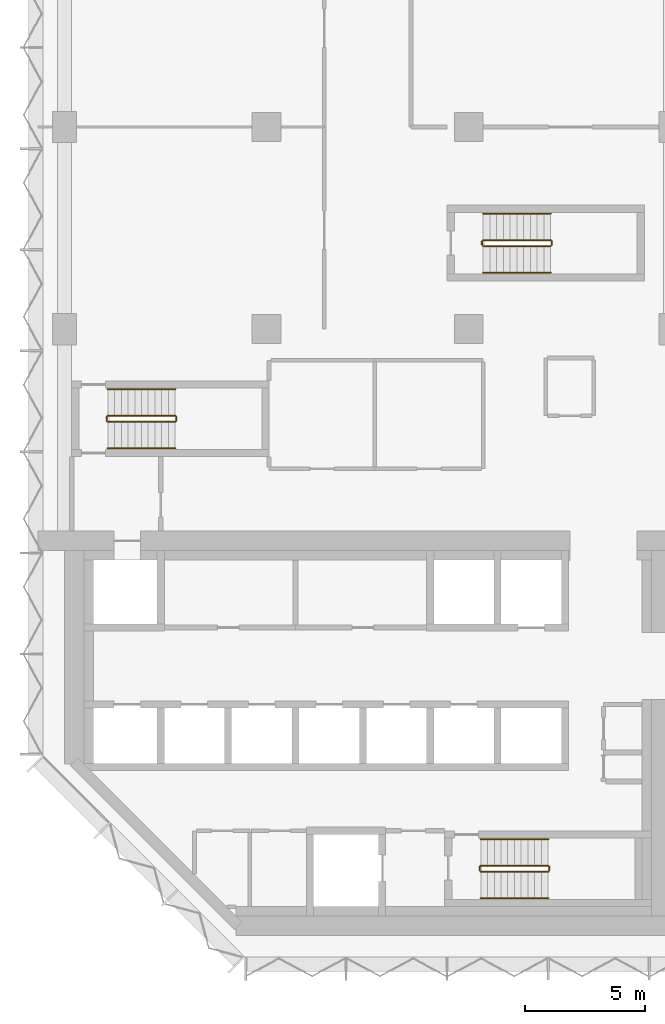
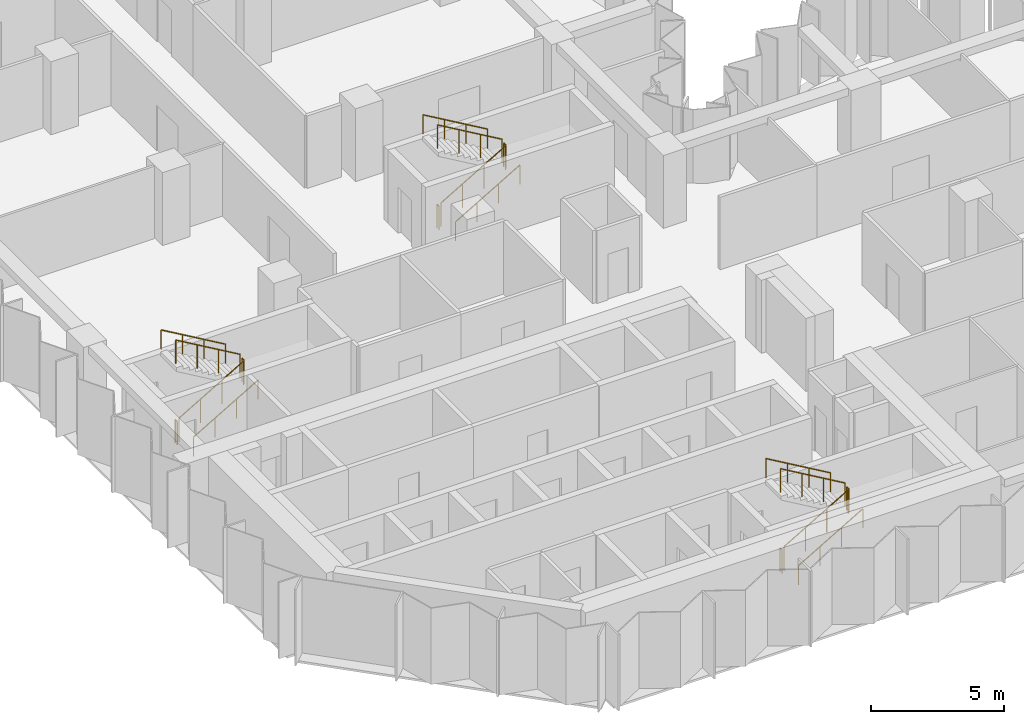
# One storey, part 12 of 13: 18 railings.
"""IFC4 building model written with IfcOpenShell, lengths in metres."""

from ifc_helpers import new_model, si_unit, direction, frame, origin, origin_2d, place, context, subcontext, project, spatial, circle, extrude, material, type_object, element, save


model = new_model("IFC4")

# Units and contexts
model_context = context("Model", 3, precision=1e-05, world=origin(), true_north=direction((0.0, 1.0)))
body_context = subcontext(model_context, "Body", "Model", "MODEL_VIEW")
ifc_project = project(units=[si_unit("LENGTHUNIT", "METRE"), si_unit("AREAUNIT", "SQUARE_METRE"), si_unit("VOLUMEUNIT", "CUBIC_METRE"), si_unit("PLANEANGLEUNIT", "RADIAN"), si_unit("MASSUNIT", "GRAM", prefix="KILO")], contexts=[model_context])

# Site, building, storey
site_placement = place(None, origin())
site = spatial("IfcSite", under=ifc_project, at=site_placement, CompositionType="ELEMENT")
building_placement = place(site_placement, origin())
building = spatial("IfcBuilding", under=site, at=building_placement, Name="Brevane Broadcast Tower", CompositionType="ELEMENT")
storey_placement = place(building_placement, frame((0.0, 0.0, 109.699951171875)))
storey = spatial("IfcBuildingStorey", under=building, at=storey_placement, Name="L26", CompositionType="ELEMENT", Elevation=109.699951171875)

# Railings
ifc_material = material(Name="Steel S355", Category="steel")
railing_type_1 = type_object("IfcRailingType", Name="Exit stair guard", PredefinedType="GUARDRAIL", material=ifc_material)
railing_1_placement = place(storey_placement, frame((1.800048828125, 21.35009765625, 0.16357421875)))
element("IfcRailing", 1, at=railing_1_placement, inside=storey, type_object=railing_type_1, Name="L26 ST-1 stair guard 1", PredefinedType="GUARDRAIL", context=body_context, shape_type="SweptSolid", body=[
    extrude(circle(Radius=0.02392578125, at=origin_2d()), frame((0.0, 0.0, 1.076171875), z_axis=(0.863360870873, 0.0, 0.504586966384), x_axis=(0.0, 1.0, 0.0)), (0.0, 0.0, 1.0), 3.2431640625),
    extrude(circle(Radius=0.02099609375, at=origin_2d()), origin(), (0.0, 0.0, 1.0), 1.052001953125),
    extrude(circle(Radius=0.02099609375, at=origin_2d()), frame((0.933349609375, 0.0, 0.54541015625)), (0.0, 0.0, 1.0), 1.052001953125),
    extrude(circle(Radius=0.02099609375, at=origin_2d()), frame((1.86669921875, 0.0, 1.091064453125)), (0.0, 0.0, 1.0), 1.052001953125),
    extrude(circle(Radius=0.02099609375, at=origin_2d()), frame((2.800048828125, 0.0, 1.636474609375)), (0.0, 0.0, 1.0), 1.052001953125),
])
railing_2_placement = place(storey_placement, frame((4.64990234375, 21.39990234375, 1.800048828125)))
element("IfcRailing", 2, at=railing_2_placement, inside=storey, type_object=railing_type_1, Name="L26 ST-1 stair guard 2", PredefinedType="GUARDRAIL", context=body_context, shape_type="SweptSolid", body=[
    extrude(circle(Radius=0.02392578125, at=origin_2d()), frame((0.0, 0.0, 1.076171875), z_axis=(0.0, 1.0, 0.0), x_axis=(-1.0, 0.0, 0.0)), (0.0, 0.0, 1.0), 0.150146484375),
    extrude(circle(Radius=0.02099609375, at=origin_2d()), origin(), (0.0, 0.0, 1.0), 1.052001953125),
    extrude(circle(Radius=0.02099609375, at=origin_2d()), frame((0.0, 0.150146484375, 0.0)), (0.0, 0.0, 1.0), 1.052001953125),
])
railing_3_placement = place(storey_placement, frame((4.60009765625, 21.60009765625, 1.963623046875)))
element("IfcRailing", 3, at=railing_3_placement, inside=storey, type_object=railing_type_1, Name="L26 ST-1 stair guard 3", PredefinedType="GUARDRAIL", context=body_context, shape_type="SweptSolid", body=[
    extrude(circle(Radius=0.02392578125, at=origin_2d()), frame((0.0, 0.0, 1.076171875), z_axis=(-0.863360870873, 0.0, 0.504586966384), x_axis=(0.0, -1.0, 0.0)), (0.0, 0.0, 1.0), 3.2431640625),
    extrude(circle(Radius=0.02099609375, at=origin_2d()), origin(), (0.0, 0.0, 1.0), 1.052001953125),
    extrude(circle(Radius=0.02099609375, at=origin_2d()), frame((-0.933349609375, 0.0, 0.54541015625)), (0.0, 0.0, 1.0), 1.052001953125),
    extrude(circle(Radius=0.02099609375, at=origin_2d()), frame((-1.86669921875, 0.0, 1.091064453125)), (0.0, 0.0, 1.0), 1.052001953125),
    extrude(circle(Radius=0.02099609375, at=origin_2d()), frame((-2.800048828125, 0.0, 1.636474609375)), (0.0, 0.0, 1.0), 1.052001953125),
])
railing_4_placement = place(storey_placement, frame((1.75, 21.39990234375, 0.0)))
element("IfcRailing", 4, at=railing_4_placement, inside=storey, type_object=railing_type_1, Name="L26 ST-1 stair guard 4", PredefinedType="GUARDRAIL", context=body_context, shape_type="SweptSolid", body=[
    extrude(circle(Radius=0.02392578125, at=origin_2d()), frame((0.0, 0.0, 1.076171875), z_axis=(0.0, 1.0, 0.0), x_axis=(-1.0, 0.0, 0.0)), (0.0, 0.0, 1.0), 0.150146484375),
    extrude(circle(Radius=0.02099609375, at=origin_2d()), origin(), (0.0, 0.0, 1.0), 1.052001953125),
    extrude(circle(Radius=0.02099609375, at=origin_2d()), frame((0.0, 0.150146484375, 0.0)), (0.0, 0.0, 1.0), 1.052001953125),
])
railing_5_placement = place(storey_placement, frame((17.300048828125, 2.64990234375, 0.16357421875)))
element("IfcRailing", 5, at=railing_5_placement, inside=storey, type_object=railing_type_1, Name="L26 ST-2 stair guard 1", PredefinedType="GUARDRAIL", context=body_context, shape_type="SweptSolid", body=[
    extrude(circle(Radius=0.02392578125, at=origin_2d()), frame((0.0, 0.0, 1.076171875), z_axis=(0.863360870873, 0.0, 0.504586966384), x_axis=(0.0, 1.0, 0.0)), (0.0, 0.0, 1.0), 3.2431640625),
    extrude(circle(Radius=0.02099609375, at=origin_2d()), origin(), (0.0, 0.0, 1.0), 1.052001953125),
    extrude(circle(Radius=0.02099609375, at=origin_2d()), frame((0.933349609375, 0.0, 0.54541015625)), (0.0, 0.0, 1.0), 1.052001953125),
    extrude(circle(Radius=0.02099609375, at=origin_2d()), frame((1.86669921875, 0.0, 1.091064453125)), (0.0, 0.0, 1.0), 1.052001953125),
    extrude(circle(Radius=0.02099609375, at=origin_2d()), frame((2.800048828125, 0.0, 1.636474609375)), (0.0, 0.0, 1.0), 1.052001953125),
])
railing_6_placement = place(storey_placement, frame((20.14990234375, 2.699951171875, 1.800048828125)))
element("IfcRailing", 6, at=railing_6_placement, inside=storey, type_object=railing_type_1, Name="L26 ST-2 stair guard 2", PredefinedType="GUARDRAIL", context=body_context, shape_type="SweptSolid", body=[
    extrude(circle(Radius=0.02392578125, at=origin_2d()), frame((0.0, 0.0, 1.076171875), z_axis=(0.0, 1.0, 0.0), x_axis=(-1.0, 0.0, 0.0)), (0.0, 0.0, 1.0), 0.150146484375),
    extrude(circle(Radius=0.02099609375, at=origin_2d()), origin(), (0.0, 0.0, 1.0), 1.052001953125),
    extrude(circle(Radius=0.02099609375, at=origin_2d()), frame((0.0, 0.150146484375, 0.0)), (0.0, 0.0, 1.0), 1.052001953125),
])
railing_7_placement = place(storey_placement, frame((20.10009765625, 2.89990234375, 1.963623046875)))
element("IfcRailing", 7, at=railing_7_placement, inside=storey, type_object=railing_type_1, Name="L26 ST-2 stair guard 3", PredefinedType="GUARDRAIL", context=body_context, shape_type="SweptSolid", body=[
    extrude(circle(Radius=0.02392578125, at=origin_2d()), frame((0.0, 0.0, 1.076171875), z_axis=(-0.863360870873, 0.0, 0.504586966384), x_axis=(0.0, -1.0, 0.0)), (0.0, 0.0, 1.0), 3.2431640625),
    extrude(circle(Radius=0.02099609375, at=origin_2d()), origin(), (0.0, 0.0, 1.0), 1.052001953125),
    extrude(circle(Radius=0.02099609375, at=origin_2d()), frame((-0.933349609375, 0.0, 0.54541015625)), (0.0, 0.0, 1.0), 1.052001953125),
    extrude(circle(Radius=0.02099609375, at=origin_2d()), frame((-1.86669921875, 0.0, 1.091064453125)), (0.0, 0.0, 1.0), 1.052001953125),
    extrude(circle(Radius=0.02099609375, at=origin_2d()), frame((-2.800048828125, 0.0, 1.636474609375)), (0.0, 0.0, 1.0), 1.052001953125),
])
railing_8_placement = place(storey_placement, frame((17.25, 2.699951171875, 0.0)))
element("IfcRailing", 8, at=railing_8_placement, inside=storey, type_object=railing_type_1, Name="L26 ST-2 stair guard 4", PredefinedType="GUARDRAIL", context=body_context, shape_type="SweptSolid", body=[
    extrude(circle(Radius=0.02392578125, at=origin_2d()), frame((0.0, 0.0, 1.076171875), z_axis=(0.0, 1.0, 0.0), x_axis=(-1.0, 0.0, 0.0)), (0.0, 0.0, 1.0), 0.150146484375),
    extrude(circle(Radius=0.02099609375, at=origin_2d()), origin(), (0.0, 0.0, 1.0), 1.052001953125),
    extrude(circle(Radius=0.02099609375, at=origin_2d()), frame((0.0, 0.150146484375, 0.0)), (0.0, 0.0, 1.0), 1.052001953125),
])
railing_9_placement = place(storey_placement, frame((17.39990234375, 28.64990234375, 0.16357421875)))
element("IfcRailing", 9, at=railing_9_placement, inside=storey, type_object=railing_type_1, Name="L26 ST-3 stair guard 1", PredefinedType="GUARDRAIL", context=body_context, shape_type="SweptSolid", body=[
    extrude(circle(Radius=0.02392578125, at=origin_2d()), frame((0.0, 0.0, 1.076171875), z_axis=(0.863360870873, 0.0, 0.504586966384), x_axis=(0.0, 1.0, 0.0)), (0.0, 0.0, 1.0), 3.2431640625),
    extrude(circle(Radius=0.02099609375, at=origin_2d()), origin(), (0.0, 0.0, 1.0), 1.052001953125),
    extrude(circle(Radius=0.02099609375, at=origin_2d()), frame((0.933349609375, 0.0, 0.54541015625)), (0.0, 0.0, 1.0), 1.052001953125),
    extrude(circle(Radius=0.02099609375, at=origin_2d()), frame((1.86669921875, 0.0, 1.091064453125)), (0.0, 0.0, 1.0), 1.052001953125),
    extrude(circle(Radius=0.02099609375, at=origin_2d()), frame((2.800048828125, 0.0, 1.636474609375)), (0.0, 0.0, 1.0), 1.052001953125),
])
railing_10_placement = place(storey_placement, frame((20.25, 28.699951171875, 1.800048828125)))
element("IfcRailing", 10, at=railing_10_placement, inside=storey, type_object=railing_type_1, Name="L26 ST-3 stair guard 2", PredefinedType="GUARDRAIL", context=body_context, shape_type="SweptSolid", body=[
    extrude(circle(Radius=0.02392578125, at=origin_2d()), frame((0.0, 0.0, 1.076171875), z_axis=(0.0, 1.0, 0.0), x_axis=(-1.0, 0.0, 0.0)), (0.0, 0.0, 1.0), 0.150146484375),
    extrude(circle(Radius=0.02099609375, at=origin_2d()), origin(), (0.0, 0.0, 1.0), 1.052001953125),
    extrude(circle(Radius=0.02099609375, at=origin_2d()), frame((0.0, 0.150146484375, 0.0)), (0.0, 0.0, 1.0), 1.052001953125),
])
railing_11_placement = place(storey_placement, frame((20.199951171875, 28.89990234375, 1.963623046875)))
element("IfcRailing", 11, at=railing_11_placement, inside=storey, type_object=railing_type_1, Name="L26 ST-3 stair guard 3", PredefinedType="GUARDRAIL", context=body_context, shape_type="SweptSolid", body=[
    extrude(circle(Radius=0.02392578125, at=origin_2d()), frame((0.0, 0.0, 1.076171875), z_axis=(-0.863360870873, 0.0, 0.504586966384), x_axis=(0.0, -1.0, 0.0)), (0.0, 0.0, 1.0), 3.2431640625),
    extrude(circle(Radius=0.02099609375, at=origin_2d()), origin(), (0.0, 0.0, 1.0), 1.052001953125),
    extrude(circle(Radius=0.02099609375, at=origin_2d()), frame((-0.933349609375, 0.0, 0.54541015625)), (0.0, 0.0, 1.0), 1.052001953125),
    extrude(circle(Radius=0.02099609375, at=origin_2d()), frame((-1.86669921875, 0.0, 1.091064453125)), (0.0, 0.0, 1.0), 1.052001953125),
    extrude(circle(Radius=0.02099609375, at=origin_2d()), frame((-2.800048828125, 0.0, 1.636474609375)), (0.0, 0.0, 1.0), 1.052001953125),
])
railing_12_placement = place(storey_placement, frame((17.35009765625, 28.699951171875, 0.0)))
element("IfcRailing", 12, at=railing_12_placement, inside=storey, type_object=railing_type_1, Name="L26 ST-3 stair guard 4", PredefinedType="GUARDRAIL", context=body_context, shape_type="SweptSolid", body=[
    extrude(circle(Radius=0.02392578125, at=origin_2d()), frame((0.0, 0.0, 1.076171875), z_axis=(0.0, 1.0, 0.0), x_axis=(-1.0, 0.0, 0.0)), (0.0, 0.0, 1.0), 0.150146484375),
    extrude(circle(Radius=0.02099609375, at=origin_2d()), origin(), (0.0, 0.0, 1.0), 1.052001953125),
    extrude(circle(Radius=0.02099609375, at=origin_2d()), frame((0.0, 0.150146484375, 0.0)), (0.0, 0.0, 1.0), 1.052001953125),
])
railing_type_2 = type_object("IfcRailingType", Name="Exit stair handrail", PredefinedType="HANDRAIL", material=ifc_material)
railing_13_placement = place(storey_placement, frame((1.800048828125, 20.25, 0.16357421875)))
element("IfcRailing", 13, at=railing_13_placement, inside=storey, type_object=railing_type_2, Name="L26 ST-1 stair handrail 1", PredefinedType="HANDRAIL", context=body_context, shape_type="SweptSolid", body=[
    extrude(circle(Radius=0.02392578125, at=origin_2d()), frame((0.0, 0.0, 0.8759765625), z_axis=(0.863360870873, 0.0, 0.504586966384), x_axis=(0.0, 1.0, 0.0)), (0.0, 0.0, 1.0), 3.2431640625),
    extrude(circle(Radius=0.02099609375, at=origin_2d()), origin(), (0.0, 0.0, 1.0), 0.851806640625),
    extrude(circle(Radius=0.02099609375, at=origin_2d()), frame((0.933349609375, 0.0, 0.54541015625)), (0.0, 0.0, 1.0), 0.851806640625),
    extrude(circle(Radius=0.02099609375, at=origin_2d()), frame((1.86669921875, 0.0, 1.091064453125)), (0.0, 0.0, 1.0), 0.851806640625),
    extrude(circle(Radius=0.02099609375, at=origin_2d()), frame((2.800048828125, 0.0, 1.636474609375)), (0.0, 0.0, 1.0), 0.851806640625),
])
railing_14_placement = place(storey_placement, frame((4.60009765625, 22.699951171875, 1.963623046875)))
element("IfcRailing", 14, at=railing_14_placement, inside=storey, type_object=railing_type_2, Name="L26 ST-1 stair handrail 2", PredefinedType="HANDRAIL", context=body_context, shape_type="SweptSolid", body=[
    extrude(circle(Radius=0.02392578125, at=origin_2d()), frame((0.0, 0.0, 0.8759765625), z_axis=(-0.863360870873, 0.0, 0.504586966384), x_axis=(0.0, -1.0, 0.0)), (0.0, 0.0, 1.0), 3.2431640625),
    extrude(circle(Radius=0.02099609375, at=origin_2d()), origin(), (0.0, 0.0, 1.0), 0.851806640625),
    extrude(circle(Radius=0.02099609375, at=origin_2d()), frame((-0.933349609375, 0.0, 0.54541015625)), (0.0, 0.0, 1.0), 0.851806640625),
    extrude(circle(Radius=0.02099609375, at=origin_2d()), frame((-1.86669921875, 0.0, 1.091064453125)), (0.0, 0.0, 1.0), 0.851806640625),
    extrude(circle(Radius=0.02099609375, at=origin_2d()), frame((-2.800048828125, 0.0, 1.636474609375)), (0.0, 0.0, 1.0), 0.851806640625),
])
railing_15_placement = place(storey_placement, frame((17.300048828125, 1.550048828125, 0.16357421875)))
element("IfcRailing", 15, at=railing_15_placement, inside=storey, type_object=railing_type_2, Name="L26 ST-2 stair handrail 1", PredefinedType="HANDRAIL", context=body_context, shape_type="SweptSolid", body=[
    extrude(circle(Radius=0.02392578125, at=origin_2d()), frame((0.0, 0.0, 0.8759765625), z_axis=(0.863360870873, 0.0, 0.504586966384), x_axis=(0.0, 1.0, 0.0)), (0.0, 0.0, 1.0), 3.2431640625),
    extrude(circle(Radius=0.02099609375, at=origin_2d()), origin(), (0.0, 0.0, 1.0), 0.851806640625),
    extrude(circle(Radius=0.02099609375, at=origin_2d()), frame((0.933349609375, 0.0, 0.54541015625)), (0.0, 0.0, 1.0), 0.851806640625),
    extrude(circle(Radius=0.02099609375, at=origin_2d()), frame((1.86669921875, 0.0, 1.091064453125)), (0.0, 0.0, 1.0), 0.851806640625),
    extrude(circle(Radius=0.02099609375, at=origin_2d()), frame((2.800048828125, 0.0, 1.636474609375)), (0.0, 0.0, 1.0), 0.851806640625),
])
railing_16_placement = place(storey_placement, frame((20.10009765625, 4.0, 1.963623046875)))
element("IfcRailing", 16, at=railing_16_placement, inside=storey, type_object=railing_type_2, Name="L26 ST-2 stair handrail 2", PredefinedType="HANDRAIL", context=body_context, shape_type="SweptSolid", body=[
    extrude(circle(Radius=0.02392578125, at=origin_2d()), frame((0.0, 0.0, 0.8759765625), z_axis=(-0.863360870873, 0.0, 0.504586966384), x_axis=(0.0, -1.0, 0.0)), (0.0, 0.0, 1.0), 3.2431640625),
    extrude(circle(Radius=0.02099609375, at=origin_2d()), origin(), (0.0, 0.0, 1.0), 0.851806640625),
    extrude(circle(Radius=0.02099609375, at=origin_2d()), frame((-0.933349609375, 0.0, 0.54541015625)), (0.0, 0.0, 1.0), 0.851806640625),
    extrude(circle(Radius=0.02099609375, at=origin_2d()), frame((-1.86669921875, 0.0, 1.091064453125)), (0.0, 0.0, 1.0), 0.851806640625),
    extrude(circle(Radius=0.02099609375, at=origin_2d()), frame((-2.800048828125, 0.0, 1.636474609375)), (0.0, 0.0, 1.0), 0.851806640625),
])
railing_17_placement = place(storey_placement, frame((17.39990234375, 27.550048828125, 0.16357421875)))
element("IfcRailing", 17, at=railing_17_placement, inside=storey, type_object=railing_type_2, Name="L26 ST-3 stair handrail 1", PredefinedType="HANDRAIL", context=body_context, shape_type="SweptSolid", body=[
    extrude(circle(Radius=0.02392578125, at=origin_2d()), frame((0.0, 0.0, 0.8759765625), z_axis=(0.863360870873, 0.0, 0.504586966384), x_axis=(0.0, 1.0, 0.0)), (0.0, 0.0, 1.0), 3.2431640625),
    extrude(circle(Radius=0.02099609375, at=origin_2d()), origin(), (0.0, 0.0, 1.0), 0.851806640625),
    extrude(circle(Radius=0.02099609375, at=origin_2d()), frame((0.933349609375, 0.0, 0.54541015625)), (0.0, 0.0, 1.0), 0.851806640625),
    extrude(circle(Radius=0.02099609375, at=origin_2d()), frame((1.86669921875, 0.0, 1.091064453125)), (0.0, 0.0, 1.0), 0.851806640625),
    extrude(circle(Radius=0.02099609375, at=origin_2d()), frame((2.800048828125, 0.0, 1.636474609375)), (0.0, 0.0, 1.0), 0.851806640625),
])
railing_18_placement = place(storey_placement, frame((20.199951171875, 30.0, 1.963623046875)))
element("IfcRailing", 18, at=railing_18_placement, inside=storey, type_object=railing_type_2, Name="L26 ST-3 stair handrail 2", PredefinedType="HANDRAIL", context=body_context, shape_type="SweptSolid", body=[
    extrude(circle(Radius=0.02392578125, at=origin_2d()), frame((0.0, 0.0, 0.8759765625), z_axis=(-0.863360870873, 0.0, 0.504586966384), x_axis=(0.0, -1.0, 0.0)), (0.0, 0.0, 1.0), 3.2431640625),
    extrude(circle(Radius=0.02099609375, at=origin_2d()), origin(), (0.0, 0.0, 1.0), 0.851806640625),
    extrude(circle(Radius=0.02099609375, at=origin_2d()), frame((-0.933349609375, 0.0, 0.54541015625)), (0.0, 0.0, 1.0), 0.851806640625),
    extrude(circle(Radius=0.02099609375, at=origin_2d()), frame((-1.86669921875, 0.0, 1.091064453125)), (0.0, 0.0, 1.0), 0.851806640625),
    extrude(circle(Radius=0.02099609375, at=origin_2d()), frame((-2.800048828125, 0.0, 1.636474609375)), (0.0, 0.0, 1.0), 0.851806640625),
])

save(model, "model.ifc")
